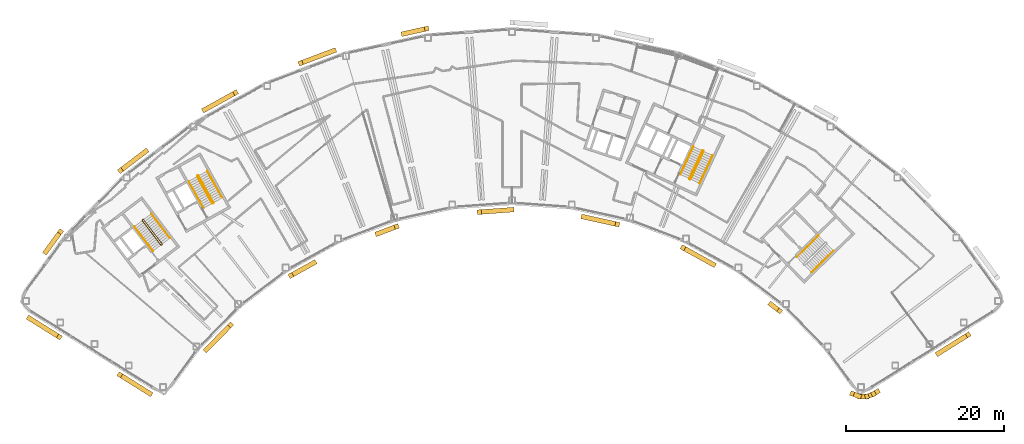
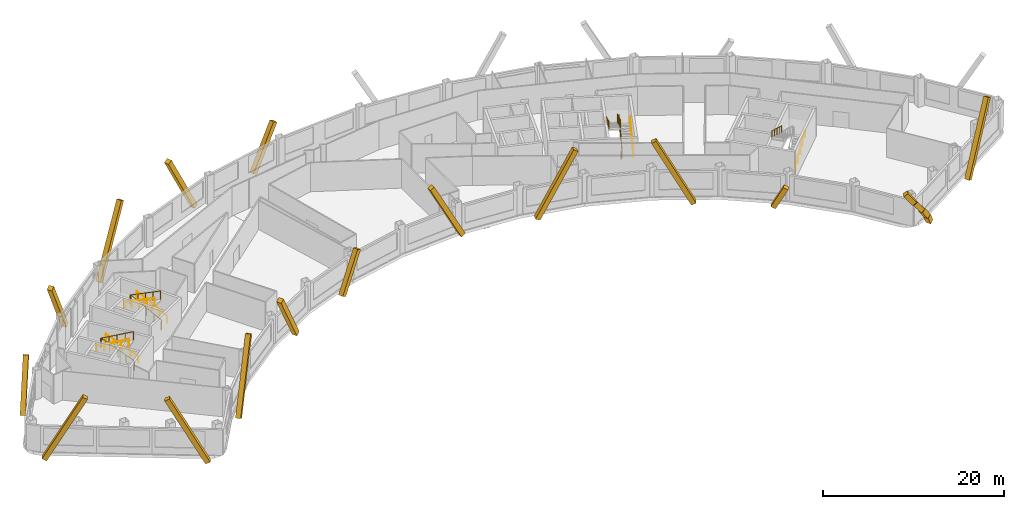
# One storey, part 12 of 13: 19 coverings, 11 railings.
"""IFC4 building model written with IfcOpenShell, lengths in metres."""

from ifc_helpers import new_model, si_unit, direction, frame, origin, origin_2d, place, context, subcontext, project, spatial, rectangle, circle, extrude, material, material_profile, profile_set, type_object, element, save


model = new_model("IFC4")

# Units and contexts
model_context = context("Model", 3, precision=1e-05, world=origin(), true_north=direction((0.0, 1.0)))
body_context = subcontext(model_context, "Body", "Model", "MODEL_VIEW")
ifc_project = project(units=[si_unit("LENGTHUNIT", "METRE"), si_unit("AREAUNIT", "SQUARE_METRE"), si_unit("VOLUMEUNIT", "CUBIC_METRE"), si_unit("PLANEANGLEUNIT", "RADIAN"), si_unit("MASSUNIT", "GRAM", prefix="KILO")], contexts=[model_context])

# Site, building, storey
site_placement = place(None, origin())
site = spatial("IfcSite", under=ifc_project, at=site_placement, CompositionType="ELEMENT")
building_placement = place(site_placement, origin())
building = spatial("IfcBuilding", under=site, at=building_placement, Name="Tuul Gate Civic Tower", CompositionType="ELEMENT")
storey_placement = place(building_placement, frame((0.0, 0.0, 248.39990234375)))
storey = spatial("IfcBuildingStorey", under=building, at=storey_placement, Name="Level 56", CompositionType="ELEMENT", Elevation=248.39990234375)

# Railings
ifc_material_1 = material(Name="Painted steel", Category="steel")
railing_type_1 = type_object("IfcRailingType", Name="Stair guard", PredefinedType="GUARDRAIL", material=ifc_material_1)
railing_1_placement = place(storey_placement, frame((-33.382080078125, -13.515380859375, 0.0)))
element("IfcRailing", 1, at=railing_1_placement, inside=storey, type_object=railing_type_1, Name="Level 56 ST-1 stair guard 1", PredefinedType="GUARDRAIL", context=body_context, shape_type="SweptSolid", body=[
    extrude(circle(Radius=0.02392578125, at=origin_2d()), frame((0.0, 0.0, 1.076171875), z_axis=(-0.795879841968, -0.605454603706, 0.0), x_axis=(0.605454603706, -0.795879841968, 0.0)), (0.0, 0.0, 1.0), 0.10009765625),
    extrude(circle(Radius=0.02392578125, at=origin_2d()), frame((-0.07958984375, -0.060546875, 1.076171875), z_axis=(0.408676696321, 0.599019267211, 0.688592241747), x_axis=(-0.826063974707, 0.563576356576, 0.0)), (0.0, 0.0, 1.0), 0.218017578125),
    extrude(circle(Radius=0.02392578125, at=origin_2d()), frame((0.009521484375, 0.070068359375, 1.22607421875), z_axis=(-0.541824460341, 0.711645023348, 0.447199748346), x_axis=(-0.795637165283, -0.60577347352, 0.0)), (0.0, 0.0, 1.0), 4.3603515625),
    extrude(circle(Radius=0.02392578125, at=origin_2d()), frame((-2.35302734375, 3.173095703125, 3.17626953125), z_axis=(-0.990893089246, 0.134650977284, 0.0), x_axis=(-0.134650977284, -0.990893089246, 0.0)), (0.0, 0.0, 1.0), 0.07080078125),
    extrude(circle(Radius=0.02392578125, at=origin_2d()), frame((-2.423095703125, 3.1826171875, 3.17626953125), z_axis=(-0.793802879778, -0.60817512943, 0.0), x_axis=(0.60817512943, -0.793802879778, 0.0)), (0.0, 0.0, 1.0), 0.099853515625),
    extrude(circle(Radius=0.02392578125, at=origin_2d()), frame((-2.50244140625, 3.121826171875, 3.17626953125), z_axis=(-0.057447065493, -0.422751481959, 0.904423031091), x_axis=(0.990893089246, -0.134650977284, 0.0)), (0.0, 0.0, 1.0), 0.165771484375),
    extrude(circle(Radius=0.02392578125, at=origin_2d()), frame((-2.511962890625, 3.0517578125, 3.326171875), z_axis=(0.541792925989, -0.711621155064, 0.447275929392), x_axis=(0.795644365679, 0.605764016233, 0.0)), (0.0, 0.0, 1.0), 4.360107421875),
    extrude(circle(Radius=0.02099609375, at=origin_2d()), origin(), (0.0, 0.0, 1.0), 1.052001953125),
    extrude(circle(Radius=0.02099609375, at=origin_2d()), frame((-0.07958984375, -0.060546875, 0.0)), (0.0, 0.0, 1.0), 1.052001953125),
    extrude(circle(Radius=0.02099609375, at=origin_2d()), frame((0.009521484375, 0.070068359375, 0.150146484375)), (0.0, 0.0, 1.0), 1.052001953125),
    extrude(circle(Radius=0.02099609375, at=origin_2d()), frame((-0.5810546875, 0.845703125, 0.6376953125)), (0.0, 0.0, 1.0), 1.052001953125),
    extrude(circle(Radius=0.02099609375, at=origin_2d()), frame((-1.171875, 1.62158203125, 1.125)), (0.0, 0.0, 1.0), 1.052001953125),
    extrude(circle(Radius=0.02099609375, at=origin_2d()), frame((-1.762451171875, 2.3974609375, 1.612548828125)), (0.0, 0.0, 1.0), 1.052001953125),
    extrude(circle(Radius=0.02099609375, at=origin_2d()), frame((-2.35302734375, 3.173095703125, 2.10009765625)), (0.0, 0.0, 1.0), 1.052001953125),
    extrude(circle(Radius=0.02099609375, at=origin_2d()), frame((-2.423095703125, 3.1826171875, 2.10009765625)), (0.0, 0.0, 1.0), 1.052001953125),
    extrude(circle(Radius=0.02099609375, at=origin_2d()), frame((-2.50244140625, 3.121826171875, 2.10009765625)), (0.0, 0.0, 1.0), 1.052001953125),
    extrude(circle(Radius=0.02099609375, at=origin_2d()), frame((-2.511962890625, 3.0517578125, 2.25)), (0.0, 0.0, 1.0), 1.052001953125),
    extrude(circle(Radius=0.02099609375, at=origin_2d()), frame((-1.92138671875, 2.276123046875, 2.737548828125)), (0.0, 0.0, 1.0), 1.052001953125),
    extrude(circle(Radius=0.02099609375, at=origin_2d()), frame((-1.330810546875, 1.50048828125, 3.22509765625)), (0.0, 0.0, 1.0), 1.052001953125),
    extrude(circle(Radius=0.02099609375, at=origin_2d()), frame((-0.740234375, 0.724609375, 3.712646484375)), (0.0, 0.0, 1.0), 1.052001953125),
    extrude(circle(Radius=0.02099609375, at=origin_2d()), frame((-0.149658203125, -0.051025390625, 4.2001953125)), (0.0, 0.0, 1.0), 1.052001953125),
])
railing_2_placement = place(storey_placement, frame((-26.857666015625, -8.247314453125, 0.0)))
element("IfcRailing", 2, at=railing_2_placement, inside=storey, type_object=railing_type_1, Name="Level 56 ST-2 stair guard 1", PredefinedType="GUARDRAIL", context=body_context, shape_type="SweptSolid", body=[
    extrude(circle(Radius=0.02392578125, at=origin_2d()), frame((0.0, 0.0, 1.076171875), z_axis=(-0.874616555828, -0.48481530532, 0.0), x_axis=(0.48481530532, -0.874616555828, 0.0)), (0.0, 0.0, 1.0), 0.10009765625),
    extrude(circle(Radius=0.02392578125, at=origin_2d()), frame((-0.087646484375, -0.048583984375, 1.076171875), z_axis=(0.490435707169, 0.534104639999, 0.688625479244), x_axis=(-0.736576986774, 0.676353711126, 0.0)), (0.0, 0.0, 1.0), 0.218017578125),
    extrude(circle(Radius=0.02392578125, at=origin_2d()), frame((0.019287109375, 0.06787109375, 1.22607421875), z_axis=(-0.43354991378, 0.782327185242, 0.447212083348), x_axis=(-0.874667644053, -0.484723129681, 0.0)), (0.0, 0.0, 1.0), 4.3603515625),
    extrude(circle(Radius=0.02392578125, at=origin_2d()), frame((-1.87109375, 3.47900390625, 3.17626953125), z_axis=(-0.961263487578, 0.275631107549, 0.0), x_axis=(-0.275631107549, -0.961263487578, 0.0)), (0.0, 0.0, 1.0), 0.07080078125),
    extrude(circle(Radius=0.02392578125, at=origin_2d()), frame((-1.939208984375, 3.49853515625, 3.17626953125), z_axis=(-0.874042088414, -0.485850211157, 0.0), x_axis=(0.485850211157, -0.874042088414, 0.0)), (0.0, 0.0, 1.0), 0.10009765625),
    extrude(circle(Radius=0.02392578125, at=origin_2d()), frame((-2.026611328125, 3.449951171875, 3.17626953125), z_axis=(-0.117866478395, -0.409586012422, 0.90462522168), x_axis=(0.961000426733, -0.276546885391, 0.0)), (0.0, 0.0, 1.0), 0.165771484375),
    extrude(circle(Radius=0.02392578125, at=origin_2d()), frame((-2.046142578125, 3.382080078125, 3.326171875), z_axis=(0.433584522764, -0.782288604346, 0.447246018574), x_axis=(0.874641102302, 0.484771020343, 0.0)), (0.0, 0.0, 1.0), 4.3603515625),
    extrude(circle(Radius=0.02099609375, at=origin_2d()), origin(), (0.0, 0.0, 1.0), 1.052001953125),
    extrude(circle(Radius=0.02099609375, at=origin_2d()), frame((-0.087646484375, -0.048583984375, 0.0)), (0.0, 0.0, 1.0), 1.052001953125),
    extrude(circle(Radius=0.02099609375, at=origin_2d()), frame((0.019287109375, 0.06787109375, 0.150146484375)), (0.0, 0.0, 1.0), 1.052001953125),
    extrude(circle(Radius=0.02099609375, at=origin_2d()), frame((-0.453369140625, 0.920654296875, 0.6376953125)), (0.0, 0.0, 1.0), 1.052001953125),
    extrude(circle(Radius=0.02099609375, at=origin_2d()), frame((-0.92578125, 1.7734375, 1.125)), (0.0, 0.0, 1.0), 1.052001953125),
    extrude(circle(Radius=0.02099609375, at=origin_2d()), frame((-1.3984375, 2.626220703125, 1.612548828125)), (0.0, 0.0, 1.0), 1.052001953125),
    extrude(circle(Radius=0.02099609375, at=origin_2d()), frame((-1.87109375, 3.47900390625, 2.10009765625)), (0.0, 0.0, 1.0), 1.052001953125),
    extrude(circle(Radius=0.02099609375, at=origin_2d()), frame((-1.939208984375, 3.49853515625, 2.10009765625)), (0.0, 0.0, 1.0), 1.052001953125),
    extrude(circle(Radius=0.02099609375, at=origin_2d()), frame((-2.026611328125, 3.449951171875, 2.10009765625)), (0.0, 0.0, 1.0), 1.052001953125),
    extrude(circle(Radius=0.02099609375, at=origin_2d()), frame((-2.046142578125, 3.382080078125, 2.25)), (0.0, 0.0, 1.0), 1.052001953125),
    extrude(circle(Radius=0.02099609375, at=origin_2d()), frame((-1.573486328125, 2.529296875, 2.737548828125)), (0.0, 0.0, 1.0), 1.052001953125),
    extrude(circle(Radius=0.02099609375, at=origin_2d()), frame((-1.100830078125, 1.676513671875, 3.22509765625)), (0.0, 0.0, 1.0), 1.052001953125),
    extrude(circle(Radius=0.02099609375, at=origin_2d()), frame((-0.628173828125, 0.82373046875, 3.712646484375)), (0.0, 0.0, 1.0), 1.052001953125),
    extrude(circle(Radius=0.02099609375, at=origin_2d()), frame((-0.155517578125, -0.029052734375, 4.2001953125)), (0.0, 0.0, 1.0), 1.052001953125),
])
railing_3_placement = place(storey_placement, frame((33.645751953125, -5.238525390625, 0.0)))
element("IfcRailing", 3, at=railing_3_placement, inside=storey, type_object=railing_type_1, Name="Level 56 ST-4 stair guard 1", PredefinedType="GUARDRAIL", context=body_context, shape_type="SweptSolid", body=[
    extrude(circle(Radius=0.02392578125, at=origin_2d()), frame((0.0, 0.0, 1.076171875), z_axis=(-0.906307919131, 0.422617978463, 0.0), x_axis=(-0.422617978463, -0.906307919131, 0.0)), (0.0, 0.0, 1.0), 0.099853515625),
    extrude(circle(Radius=0.02392578125, at=origin_2d()), frame((-0.090576171875, 0.042236328125, 1.076171875), z_axis=(0.720179819621, -0.082882280952, 0.688818956559), x_axis=(0.114330889033, 0.993442724979, 0.0)), (0.0, 0.0, 1.0), 0.218017578125),
    extrude(circle(Radius=0.02392578125, at=origin_2d()), frame((0.06640625, 0.024169921875, 1.22607421875), z_axis=(0.377946903738, 0.810654114417, 0.447209173356), x_axis=(-0.906336612539, 0.422556439746, 0.0)), (0.0, 0.0, 1.0), 4.3603515625),
    extrude(circle(Radius=0.02392578125, at=origin_2d()), frame((1.71435546875, 3.558837890625, 3.17626953125), z_axis=(-0.342020437038, 0.939692513883, 0.0), x_axis=(-0.939692513883, -0.342020437038, 0.0)), (0.0, 0.0, 1.0), 0.070556640625),
    extrude(circle(Radius=0.02392578125, at=origin_2d()), frame((1.690185546875, 3.625244140625, 3.17626953125), z_axis=(-0.906307919131, 0.422617978463, 0.0), x_axis=(-0.422617978463, -0.906307919131, 0.0)), (0.0, 0.0, 1.0), 0.099853515625),
    extrude(circle(Radius=0.02392578125, at=origin_2d()), frame((1.599609375, 3.66748046875, 3.17626953125), z_axis=(-0.40070210376, -0.145843780413, 0.904526072458), x_axis=(0.342020437038, -0.939692513883, 0.0)), (0.0, 0.0, 1.0), 0.165771484375),
    extrude(circle(Radius=0.02392578125, at=origin_2d()), frame((1.533203125, 3.643310546875, 3.326171875), z_axis=(-0.377937439636, -0.810633814971, 0.447253965602), x_axis=(0.906336612539, -0.422556439746, 0.0)), (0.0, 0.0, 1.0), 4.3603515625),
    extrude(circle(Radius=0.02099609375, at=origin_2d()), origin(), (0.0, 0.0, 1.0), 1.052001953125),
    extrude(circle(Radius=0.02099609375, at=origin_2d()), frame((-0.090576171875, 0.042236328125, 0.0)), (0.0, 0.0, 1.0), 1.052001953125),
    extrude(circle(Radius=0.02099609375, at=origin_2d()), frame((0.06640625, 0.024169921875, 0.150146484375)), (0.0, 0.0, 1.0), 1.052001953125),
    extrude(circle(Radius=0.02099609375, at=origin_2d()), frame((0.478515625, 0.90771484375, 0.6376953125)), (0.0, 0.0, 1.0), 1.052001953125),
    extrude(circle(Radius=0.02099609375, at=origin_2d()), frame((0.890380859375, 1.79150390625, 1.125)), (0.0, 0.0, 1.0), 1.052001953125),
    extrude(circle(Radius=0.02099609375, at=origin_2d()), frame((1.30224609375, 2.67529296875, 1.612548828125)), (0.0, 0.0, 1.0), 1.052001953125),
    extrude(circle(Radius=0.02099609375, at=origin_2d()), frame((1.71435546875, 3.558837890625, 2.10009765625)), (0.0, 0.0, 1.0), 1.052001953125),
    extrude(circle(Radius=0.02099609375, at=origin_2d()), frame((1.690185546875, 3.625244140625, 2.10009765625)), (0.0, 0.0, 1.0), 1.052001953125),
    extrude(circle(Radius=0.02099609375, at=origin_2d()), frame((1.599609375, 3.66748046875, 2.10009765625)), (0.0, 0.0, 1.0), 1.052001953125),
    extrude(circle(Radius=0.02099609375, at=origin_2d()), frame((1.533203125, 3.643310546875, 2.25)), (0.0, 0.0, 1.0), 1.052001953125),
    extrude(circle(Radius=0.02099609375, at=origin_2d()), frame((1.12109375, 2.759765625, 2.737548828125)), (0.0, 0.0, 1.0), 1.052001953125),
    extrude(circle(Radius=0.02099609375, at=origin_2d()), frame((0.709228515625, 1.8759765625, 3.22509765625)), (0.0, 0.0, 1.0), 1.052001953125),
    extrude(circle(Radius=0.02099609375, at=origin_2d()), frame((0.29736328125, 0.9921875, 3.712646484375)), (0.0, 0.0, 1.0), 1.052001953125),
    extrude(circle(Radius=0.02099609375, at=origin_2d()), frame((-0.11474609375, 0.108642578125, 4.2001953125)), (0.0, 0.0, 1.0), 1.052001953125),
])
ifc_material_2 = material(Name="Painted steel", Category="steel")
railing_type_2 = type_object("IfcRailingType", Name="Stair handrail", PredefinedType="HANDRAIL", material=ifc_material_2)
railing_4_placement = place(storey_placement, frame((-32.3779296875, -12.688232421875, 0.150146484375)))
element("IfcRailing", 4, at=railing_4_placement, inside=storey, type_object=railing_type_2, Name="Level 56 ST-1 stair handrail 1", PredefinedType="HANDRAIL", context=body_context, shape_type="SweptSolid", body=[
    extrude(circle(Radius=0.02392578125, at=origin_2d()), frame((0.0, 0.0, 0.8759765625), z_axis=(-0.541824460341, 0.711645023348, 0.447199748346), x_axis=(-0.795637165283, -0.60577347352, 0.0)), (0.0, 0.0, 1.0), 4.3603515625),
    extrude(circle(Radius=0.02099609375, at=origin_2d()), origin(), (0.0, 0.0, 1.0), 0.851806640625),
    extrude(circle(Radius=0.02099609375, at=origin_2d()), frame((-0.590576171875, 0.77587890625, 0.487548828125)), (0.0, 0.0, 1.0), 0.851806640625),
    extrude(circle(Radius=0.02099609375, at=origin_2d()), frame((-1.18115234375, 1.551513671875, 0.97509765625)), (0.0, 0.0, 1.0), 0.851806640625),
    extrude(circle(Radius=0.02099609375, at=origin_2d()), frame((-1.77197265625, 2.3271484375, 1.46240234375)), (0.0, 0.0, 1.0), 0.851806640625),
    extrude(circle(Radius=0.02099609375, at=origin_2d()), frame((-2.362548828125, 3.10302734375, 1.949951171875)), (0.0, 0.0, 1.0), 0.851806640625),
])
railing_5_placement = place(storey_placement, frame((-36.888671875, -11.220703125, 2.25)))
element("IfcRailing", 5, at=railing_5_placement, inside=storey, type_object=railing_type_2, Name="Level 56 ST-1 stair handrail 2", PredefinedType="HANDRAIL", context=body_context, shape_type="SweptSolid", body=[
    extrude(circle(Radius=0.02392578125, at=origin_2d()), frame((0.0, 0.0, 0.8759765625), z_axis=(0.541810893183, -0.711627203922, 0.44724454012), x_axis=(0.795637165283, 0.60577347352, 0.0)), (0.0, 0.0, 1.0), 4.3603515625),
    extrude(circle(Radius=0.02099609375, at=origin_2d()), origin(), (0.0, 0.0, 1.0), 0.851806640625),
    extrude(circle(Radius=0.02099609375, at=origin_2d()), frame((0.590576171875, -0.77587890625, 0.487548828125)), (0.0, 0.0, 1.0), 0.851806640625),
    extrude(circle(Radius=0.02099609375, at=origin_2d()), frame((1.18115234375, -1.551513671875, 0.97509765625)), (0.0, 0.0, 1.0), 0.851806640625),
    extrude(circle(Radius=0.02099609375, at=origin_2d()), frame((1.77197265625, -2.3271484375, 1.462646484375)), (0.0, 0.0, 1.0), 0.851806640625),
    extrude(circle(Radius=0.02099609375, at=origin_2d()), frame((2.362548828125, -3.10302734375, 1.9501953125)), (0.0, 0.0, 1.0), 0.851806640625),
])
railing_6_placement = place(storey_placement, frame((-25.744873046875, -7.573486328125, 0.150146484375)))
element("IfcRailing", 6, at=railing_6_placement, inside=storey, type_object=railing_type_2, Name="Level 56 ST-2 stair handrail 1", PredefinedType="HANDRAIL", context=body_context, shape_type="SweptSolid", body=[
    extrude(circle(Radius=0.02392578125, at=origin_2d()), frame((0.0, 0.0, 0.8759765625), z_axis=(-0.433595379963, 0.782308193291, 0.447201226726), x_axis=(-0.874641102302, -0.484771020343, 0.0)), (0.0, 0.0, 1.0), 4.3603515625),
    extrude(circle(Radius=0.02099609375, at=origin_2d()), origin(), (0.0, 0.0, 1.0), 0.851806640625),
    extrude(circle(Radius=0.02099609375, at=origin_2d()), frame((-0.47265625, 0.852783203125, 0.487548828125)), (0.0, 0.0, 1.0), 0.851806640625),
    extrude(circle(Radius=0.02099609375, at=origin_2d()), frame((-0.9453125, 1.70556640625, 0.97509765625)), (0.0, 0.0, 1.0), 0.851806640625),
    extrude(circle(Radius=0.02099609375, at=origin_2d()), frame((-1.41796875, 2.558349609375, 1.46240234375)), (0.0, 0.0, 1.0), 0.851806640625),
    extrude(circle(Radius=0.02099609375, at=origin_2d()), frame((-1.890625, 3.4111328125, 1.949951171875)), (0.0, 0.0, 1.0), 0.851806640625),
])
railing_7_placement = place(storey_placement, frame((-29.9970703125, -5.47119140625, 2.25)))
element("IfcRailing", 7, at=railing_7_placement, inside=storey, type_object=railing_type_2, Name="Level 56 ST-2 stair handrail 2", PredefinedType="HANDRAIL", context=body_context, shape_type="SweptSolid", body=[
    extrude(circle(Radius=0.02392578125, at=origin_2d()), frame((0.0, 0.0, 0.8759765625), z_axis=(0.433584522764, -0.782288604346, 0.447246018574), x_axis=(0.874641102302, 0.484771020343, 0.0)), (0.0, 0.0, 1.0), 4.3603515625),
    extrude(circle(Radius=0.02099609375, at=origin_2d()), origin(), (0.0, 0.0, 1.0), 0.851806640625),
    extrude(circle(Radius=0.02099609375, at=origin_2d()), frame((0.47265625, -0.852783203125, 0.487548828125)), (0.0, 0.0, 1.0), 0.851806640625),
    extrude(circle(Radius=0.02099609375, at=origin_2d()), frame((0.9453125, -1.70556640625, 0.97509765625)), (0.0, 0.0, 1.0), 0.851806640625),
    extrude(circle(Radius=0.02099609375, at=origin_2d()), frame((1.41796875, -2.558349609375, 1.462646484375)), (0.0, 0.0, 1.0), 0.851806640625),
    extrude(circle(Radius=0.02099609375, at=origin_2d()), frame((1.890625, -3.4111328125, 1.9501953125)), (0.0, 0.0, 1.0), 0.851806640625),
])
railing_8_placement = place(storey_placement, frame((49.05126953125, -17.028076171875, 0.150146484375)))
element("IfcRailing", 8, at=railing_8_placement, inside=storey, type_object=railing_type_2, Name="Level 56 ST-3 stair handrail 1", PredefinedType="HANDRAIL", context=body_context, shape_type="SweptSolid", body=[
    extrude(circle(Radius=0.02392578125, at=origin_2d()), frame((0.0, 0.0, 0.8759765625), z_axis=(0.638753653487, 0.626099522554, 0.447205945863), x_axis=(-0.699997553204, 0.714145241186, 0.0)), (0.0, 0.0, 1.0), 4.3603515625),
    extrude(circle(Radius=0.02099609375, at=origin_2d()), origin(), (0.0, 0.0, 1.0), 0.851806640625),
    extrude(circle(Radius=0.02099609375, at=origin_2d()), frame((0.6962890625, 0.6826171875, 0.487548828125)), (0.0, 0.0, 1.0), 0.851806640625),
    extrude(circle(Radius=0.02099609375, at=origin_2d()), frame((1.392578125, 1.364990234375, 0.97509765625)), (0.0, 0.0, 1.0), 0.851806640625),
    extrude(circle(Radius=0.02099609375, at=origin_2d()), frame((2.0888671875, 2.04736328125, 1.46240234375)), (0.0, 0.0, 1.0), 0.851806640625),
    extrude(circle(Radius=0.02099609375, at=origin_2d()), frame((2.78515625, 2.72998046875, 1.949951171875)), (0.0, 0.0, 1.0), 0.851806640625),
])
railing_9_placement = place(storey_placement, frame((49.9462890625, -12.369873046875, 2.25)))
element("IfcRailing", 9, at=railing_9_placement, inside=storey, type_object=railing_type_2, Name="Level 56 ST-3 stair handrail 2", PredefinedType="HANDRAIL", context=body_context, shape_type="SweptSolid", body=[
    extrude(circle(Radius=0.02392578125, at=origin_2d()), frame((0.0, 0.0, 0.8759765625), z_axis=(-0.638737658801, -0.626083844733, 0.447250737947), x_axis=(0.699997553204, -0.714145241186, 0.0)), (0.0, 0.0, 1.0), 4.3603515625),
    extrude(circle(Radius=0.02099609375, at=origin_2d()), origin(), (0.0, 0.0, 1.0), 0.851806640625),
    extrude(circle(Radius=0.02099609375, at=origin_2d()), frame((-0.6962890625, -0.6826171875, 0.487548828125)), (0.0, 0.0, 1.0), 0.851806640625),
    extrude(circle(Radius=0.02099609375, at=origin_2d()), frame((-1.392578125, -1.364990234375, 0.97509765625)), (0.0, 0.0, 1.0), 0.851806640625),
    extrude(circle(Radius=0.02099609375, at=origin_2d()), frame((-2.0888671875, -2.04736328125, 1.462646484375)), (0.0, 0.0, 1.0), 0.851806640625),
    extrude(circle(Radius=0.02099609375, at=origin_2d()), frame((-2.78515625, -2.72998046875, 1.9501953125)), (0.0, 0.0, 1.0), 0.851806640625),
])
railing_10_placement = place(storey_placement, frame((34.844970703125, -5.74267578125, 0.150146484375)))
element("IfcRailing", 10, at=railing_10_placement, inside=storey, type_object=railing_type_2, Name="Level 56 ST-4 stair handrail 1", PredefinedType="HANDRAIL", context=body_context, shape_type="SweptSolid", body=[
    extrude(circle(Radius=0.02392578125, at=origin_2d()), frame((0.0, 0.0, 0.8759765625), z_axis=(0.377994896215, 0.810636958585, 0.447199709091), x_axis=(-0.906312636903, 0.422607861012, 0.0)), (0.0, 0.0, 1.0), 4.3603515625),
    extrude(circle(Radius=0.02099609375, at=origin_2d()), origin(), (0.0, 0.0, 1.0), 0.851806640625),
    extrude(circle(Radius=0.02099609375, at=origin_2d()), frame((0.412109375, 0.8837890625, 0.487548828125)), (0.0, 0.0, 1.0), 0.851806640625),
    extrude(circle(Radius=0.02099609375, at=origin_2d()), frame((0.82421875, 1.767333984375, 0.97509765625)), (0.0, 0.0, 1.0), 0.851806640625),
    extrude(circle(Radius=0.02099609375, at=origin_2d()), frame((1.236083984375, 2.65087890625, 1.46240234375)), (0.0, 0.0, 1.0), 0.851806640625),
    extrude(circle(Radius=0.02099609375, at=origin_2d()), frame((1.648193359375, 3.53466796875, 1.949951171875)), (0.0, 0.0, 1.0), 0.851806640625),
])
railing_11_placement = place(storey_placement, frame((34.046142578125, -1.06689453125, 2.25)))
element("IfcRailing", 11, at=railing_11_placement, inside=storey, type_object=railing_type_2, Name="Level 56 ST-4 stair handrail 2", PredefinedType="HANDRAIL", context=body_context, shape_type="SweptSolid", body=[
    extrude(circle(Radius=0.02392578125, at=origin_2d()), frame((0.0, 0.0, 0.8759765625), z_axis=(-0.377985431313, -0.810616660428, 0.447244500863), x_axis=(0.906312636903, -0.422607861012, 0.0)), (0.0, 0.0, 1.0), 4.3603515625),
    extrude(circle(Radius=0.02099609375, at=origin_2d()), origin(), (0.0, 0.0, 1.0), 0.851806640625),
    extrude(circle(Radius=0.02099609375, at=origin_2d()), frame((-0.412109375, -0.8837890625, 0.487548828125)), (0.0, 0.0, 1.0), 0.851806640625),
    extrude(circle(Radius=0.02099609375, at=origin_2d()), frame((-0.82421875, -1.767333984375, 0.97509765625)), (0.0, 0.0, 1.0), 0.851806640625),
    extrude(circle(Radius=0.02099609375, at=origin_2d()), frame((-1.236083984375, -2.65087890625, 1.462646484375)), (0.0, 0.0, 1.0), 0.851806640625),
    extrude(circle(Radius=0.02099609375, at=origin_2d()), frame((-1.648193359375, -3.53466796875, 1.9501953125)), (0.0, 0.0, 1.0), 0.851806640625),
])

# Coverings
ifc_material_3 = material(Name="Terracotta baguette", Category="masonry")
ifc_material_profile = material_profile(ifc_material_3, rectangle(XDim=0.60009765625, YDim=0.60009765625, at=origin_2d()), Name="Terracotta baguette screen frame")
ifc_profile_set = profile_set([ifc_material_profile], Name="Terracotta baguette")
covering_type = type_object("IfcCoveringType", Name="Terracotta baguette screen frame", PredefinedType="CLADDING", material=ifc_profile_set)
covering_1_placement = place(storey_placement, frame((65.093505859375, -27.349853515625, -0.349853515625), z_axis=(0.402293025591, 0.251385166726, 0.880321429656), x_axis=(-0.529926214669, 0.848043753002, 0.0)))
element("IfcCovering", 12, at=covering_1_placement, inside=storey, type_object=covering_type, Name="Baguette 1", PredefinedType="CLADDING", context=body_context, shape_type="SweptSolid", body=[
    extrude(rectangle(XDim=0.60009765625, YDim=0.60009765625, at=origin_2d()), origin(), (0.0, 0.0, 1.0), 9.541748046875),
])
covering_2_placement = place(storey_placement, frame((0.20751953125, 13.89306640625, 5.254638671875), z_axis=(-0.464021709563, -0.102264160013, -0.879901070934), x_axis=(0.21522186499, -0.976565178997, 0.0)))
element("IfcCovering", 13, at=covering_2_placement, inside=storey, type_object=covering_type, Name="Baguette 80", PredefinedType="CLADDING", context=body_context, shape_type="SweptSolid", body=[
    extrude(rectangle(XDim=0.60009765625, YDim=0.60009765625, at=origin_2d()), origin(), (0.0, 0.0, 1.0), 6.369384765625),
])
for number, where, z_axis, x_axis, name in (
    (14, (-15.79931640625, 9.511474609375, 8.050048828125), (0.444449007562, 0.168071746228, -0.879895998284), (-0.353711403676, 0.935354608108, 0.0), "Baguette 95"),
    (15, (-24.0419921875, 5.777099609375, 8.050048828125), (-0.415601604837, -0.230344203727, -0.879895933544), (0.484765303515, -0.874644270837, 0.0), "Baguette 101"),
):
    element("IfcCovering", number, at=place(storey_placement, frame(where, z_axis=z_axis, x_axis=x_axis)), inside=storey, type_object=covering_type, Name=name, PredefinedType="CLADDING", context=body_context, shape_type="SweptSolid", body=[
        extrude(rectangle(XDim=0.60009765625, YDim=0.60009765625, at=origin_2d()), origin(), (0.0, 0.0, 1.0), 9.54638671875),
    ])
covering_3_placement = place(storey_placement, frame((-38.66259765625, -4.1142578125, 7.218994140625), z_axis=(0.378072552078, 0.287847145348, -0.879889292059), x_axis=(-0.605766045279, 0.79564282086, 0.0)))
element("IfcCovering", 16, at=covering_3_placement, inside=storey, type_object=covering_type, Name="Baguette 116", PredefinedType="CLADDING", context=body_context, shape_type="SweptSolid", body=[
    extrude(rectangle(XDim=0.60009765625, YDim=0.60009765625, at=origin_2d()), origin(), (0.0, 0.0, 1.0), 8.60205078125),
])
covering_4_placement = place(storey_placement, frame((-46.258544921875, -11.86376953125, 5.586669921875), z_axis=(-0.281381388158, -0.385223228643, -0.878878591452), x_axis=(0.807518817667, -0.589841808551, 0.0)))
element("IfcCovering", 17, at=covering_4_placement, inside=storey, type_object=covering_type, Name="Baguette 122", PredefinedType="CLADDING", context=body_context, shape_type="SweptSolid", body=[
    extrude(rectangle(XDim=0.60009765625, YDim=0.60009765625, at=origin_2d()), origin(), (0.0, 0.0, 1.0), 6.754638671875),
])
for number, where, z_axis, x_axis, name in (
    (18, (-46.413818359375, -25.236328125, 8.050048828125), (-0.402268992283, 0.251411723583, -0.88032482817), (-0.529989243351, -0.848004364336, 0.0), "Baguette 149"),
    (19, (-38.736572265625, -30.033935546875, 8.050048828125), (0.402293025591, -0.251385166726, -0.880321429656), (0.529926214669, 0.848043753002, 0.0), "Baguette 153"),
):
    element("IfcCovering", number, at=place(storey_placement, frame(where, z_axis=z_axis, x_axis=x_axis)), inside=storey, type_object=covering_type, Name=name, PredefinedType="CLADDING", context=body_context, shape_type="SweptSolid", body=[
        extrude(rectangle(XDim=0.60009765625, YDim=0.60009765625, at=origin_2d()), origin(), (0.0, 0.0, 1.0), 9.541748046875),
    ])
covering_5_placement = place(storey_placement, frame((-24.676513671875, -23.702880859375, 8.050048828125), z_axis=(-0.326330554035, -0.332887507095, -0.884700105755), x_axis=(0.714104738574, -0.700038872025, 0.0)))
element("IfcCovering", 20, at=covering_5_placement, inside=storey, type_object=covering_type, Name="Baguette 180", PredefinedType="CLADDING", context=body_context, shape_type="SweptSolid", body=[
    extrude(rectangle(XDim=0.60009765625, YDim=0.60009765625, at=origin_2d()), origin(), (0.0, 0.0, 1.0), 9.49462890625),
])
covering_6_placement = place(storey_placement, frame((-17.037841796875, -17.4375, 6.063232421875), z_axis=(0.40769757594, 0.225993451843, -0.884708791805), x_axis=(-0.484814535544, 0.874616982527, 0.0)))
element("IfcCovering", 21, at=covering_6_placement, inside=storey, type_object=covering_type, Name="Baguette 187", PredefinedType="CLADDING", context=body_context, shape_type="SweptSolid", body=[
    extrude(rectangle(XDim=0.60009765625, YDim=0.60009765625, at=origin_2d()), origin(), (0.0, 0.0, 1.0), 7.248779296875),
])
covering_7_placement = place(storey_placement, frame((-3.611572265625, -11.216796875, 4.594482421875), z_axis=(-0.435980600282, -0.16491250161, -0.884717346383), x_axis=(0.353792387079, -0.935323979616, 0.0)))
element("IfcCovering", 22, at=covering_7_placement, inside=storey, type_object=covering_type, Name="Baguette 205", PredefinedType="CLADDING", context=body_context, shape_type="SweptSolid", body=[
    extrude(rectangle(XDim=0.60009765625, YDim=0.60009765625, at=origin_2d()), origin(), (0.0, 0.0, 1.0), 5.588623046875),
])
covering_8_placement = place(storey_placement, frame((6.87890625, -9.3857421875, 8.050048828125), z_axis=(0.464944641093, 0.033680943013, -0.88469886108), x_axis=(-0.072251432136, 0.997386449955, 0.0)))
element("IfcCovering", 23, at=covering_8_placement, inside=storey, type_object=covering_type, Name="Baguette 212", PredefinedType="CLADDING", context=body_context, shape_type="SweptSolid", body=[
    extrude(rectangle(XDim=0.60009765625, YDim=0.60009765625, at=origin_2d()), origin(), (0.0, 0.0, 1.0), 8.930419921875),
])
for number, where, z_axis, x_axis, name in (
    (24, (24.4091796875, -10.938232421875, 8.050048828125), (-0.45523536363, 0.100283434148, -0.884705598793), (-0.215131164625, -0.976585163725, 0.0), "Baguette 228"),
    (25, (32.733642578125, -13.90869140625, 8.050048828125), (0.407714066256, -0.225996400626, -0.884700439178), (0.484804374507, 0.87462261488, 0.0), "Baguette 236"),
):
    element("IfcCovering", number, at=place(storey_placement, frame(where, z_axis=z_axis, x_axis=x_axis)), inside=storey, type_object=covering_type, Name=name, PredefinedType="CLADDING", context=body_context, shape_type="SweptSolid", body=[
        extrude(rectangle(XDim=0.60009765625, YDim=0.60009765625, at=origin_2d()), origin(), (0.0, 0.0, 1.0), 9.49462890625),
    ])
covering_9_placement = place(storey_placement, frame((45.00146484375, -21.930908203125, 2.341796875), z_axis=(-0.370892959878, 0.282382588881, -0.884702484347), x_axis=(-0.60576829495, -0.795641108059, 0.0)))
element("IfcCovering", 26, at=covering_9_placement, inside=storey, type_object=covering_type, Name="Baguette 251", PredefinedType="CLADDING", context=body_context, shape_type="SweptSolid", body=[
    extrude(rectangle(XDim=0.60009765625, YDim=0.60009765625, at=origin_2d()), origin(), (0.0, 0.0, 1.0), 3.04248046875),
])
covering_10_placement = place(storey_placement, frame((54.197265625, -32.4248046875, 4.61279296875), z_axis=(0.560062455363, -0.22194004503, -0.798168317152), x_axis=(0.368405265232, 0.929665294904, 0.0)))
element("IfcCovering", 27, at=covering_10_placement, inside=storey, type_object=covering_type, Name="Baguette 260", PredefinedType="CLADDING", context=body_context, shape_type="SweptSolid", body=[
    extrude(rectangle(XDim=0.60009765625, YDim=0.60009765625, at=origin_2d()), origin(), (0.0, 0.0, 1.0), 1.615966796875),
])
covering_11_placement = place(storey_placement, frame((55.102294921875, -32.783447265625, 3.322998046875), z_axis=(0.602486696833, -0.002570206737, -0.798124786093), x_axis=(0.004265958673, 0.999990900757, 0.0)))
element("IfcCovering", 28, at=covering_11_placement, inside=storey, type_object=covering_type, Name="Baguette 261", PredefinedType="CLADDING", context=body_context, shape_type="SweptSolid", body=[
    extrude(rectangle(XDim=0.60009765625, YDim=0.60009765625, at=origin_2d()), origin(), (0.0, 0.0, 1.0), 1.61474609375),
])
covering_12_placement = place(storey_placement, frame((56.0751953125, -32.78759765625, 2.0341796875), z_axis=(0.534394068467, 0.208138961898, -0.819207636761), x_axis=(-0.362929447932, 0.93181662135, 0.0)))
element("IfcCovering", 29, at=covering_12_placement, inside=storey, type_object=covering_type, Name="Baguette 262", PredefinedType="CLADDING", context=body_context, shape_type="SweptSolid", body=[
    extrude(rectangle(XDim=0.60009765625, YDim=0.60009765625, at=origin_2d()), origin(), (0.0, 0.0, 1.0), 1.572998046875),
])
covering_13_placement = place(storey_placement, frame((56.915771484375, -32.460205078125, 0.74560546875), z_axis=(0.402383327042, 0.251317914159, -0.880299360525), x_axis=(-0.529738713069, 0.848160890324, 0.0)))
element("IfcCovering", 30, at=covering_13_placement, inside=storey, type_object=covering_type, Name="Baguette 263", PredefinedType="CLADDING", context=body_context, shape_type="SweptSolid", body=[
    extrude(rectangle(XDim=0.60009765625, YDim=0.60009765625, at=origin_2d()), origin(), (0.0, 0.0, 1.0), 1.244384765625),
])

save(model, "model.ifc")
